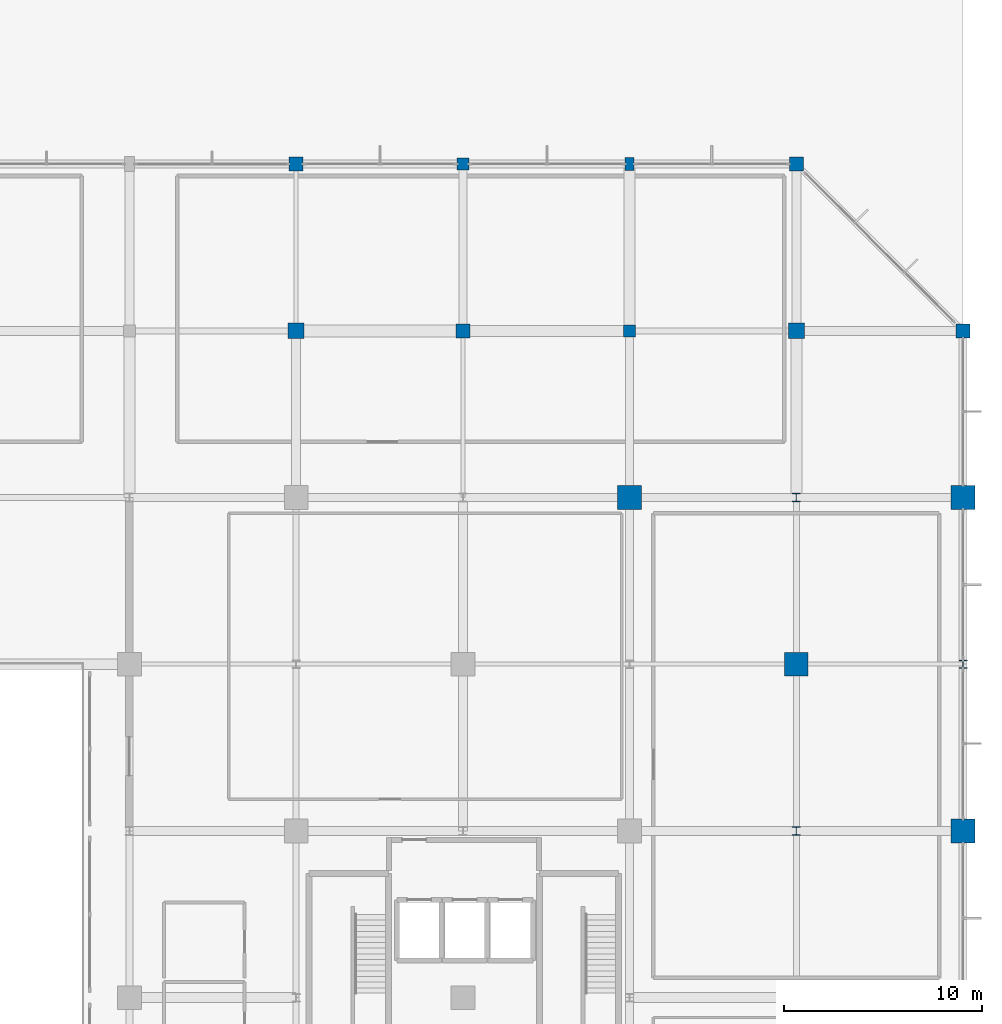
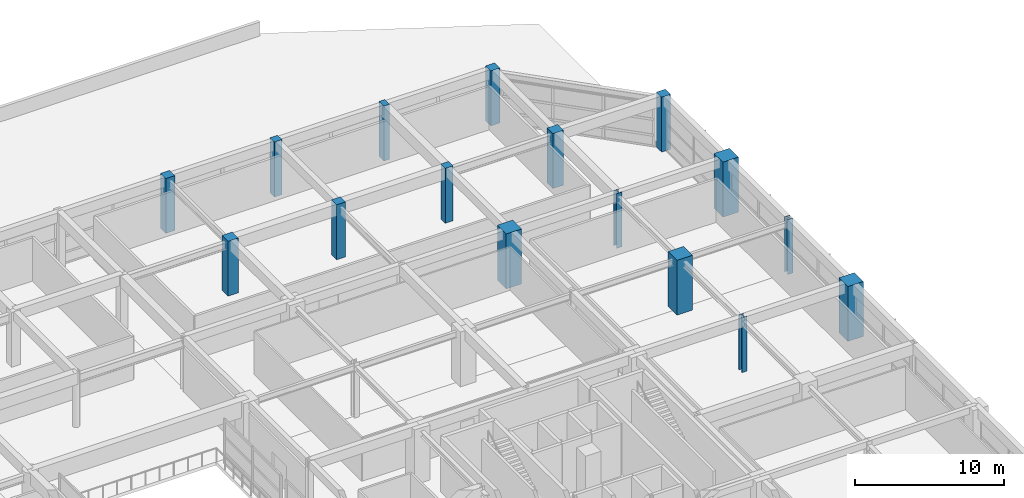
# One storey, part 7 of 60: 16 columns.
"""IFC4 building model written with IfcOpenShell, lengths in metres."""

from ifc_helpers import new_model, si_unit, direction, frame, origin, origin_2d, place, context, subcontext, project, spatial, rectangle, i_section, extrude, material, material_profile, profile_set, type_object, element, save


model = new_model("IFC4")

# Units and contexts
model_context = context("Model", 3, precision=1e-05, world=origin(), true_north=direction((0.0, 1.0)))
body_context = subcontext(model_context, "Body", "Model", "MODEL_VIEW")
ifc_project = project(units=[si_unit("LENGTHUNIT", "METRE"), si_unit("AREAUNIT", "SQUARE_METRE"), si_unit("VOLUMEUNIT", "CUBIC_METRE"), si_unit("PLANEANGLEUNIT", "RADIAN"), si_unit("MASSUNIT", "GRAM", prefix="KILO")], contexts=[model_context])

# Site, building, storey
site_placement = place(None, origin())
site = spatial("IfcSite", under=ifc_project, at=site_placement, CompositionType="ELEMENT")
building_placement = place(site_placement, origin())
building = spatial("IfcBuilding", under=site, at=building_placement, Name="Xuanlan Plaza Opera House", CompositionType="ELEMENT")
storey_placement = place(building_placement, frame((0.0, 0.0, 9.89990234375)))
storey = spatial("IfcBuildingStorey", under=building, at=storey_placement, Name="L02", CompositionType="ELEMENT", Elevation=9.89990234375)

# Columns
ifc_material_1 = material(Name="Concrete C60", Category="concrete")
ifc_material_profile_1 = material_profile(ifc_material_1, rectangle(XDim=1.199951171875, YDim=1.199951171875, at=origin_2d()), Name="RC-COL 1200x1200")
ifc_profile_set_1 = profile_set([ifc_material_profile_1], Name="Concrete C60")
column_type_1 = type_object("IfcColumnType", Name="STR-COL-C-02", PredefinedType="COLUMN", material=ifc_profile_set_1)
for number, where, z_axis, x_axis, name in (
    (1, (151.199951171875, 84.0, 0.0), (0.0, 0.0, 1.0), (1.0, 0.0, 0.0), "Column L02 19-K"),
    (2, (159.60009765625, 75.60009765625, 0.0), (0.0, 0.0, 1.0), (1.0, 0.0, 0.0), "Column L02 20-J"),
    (3, (168.0, 67.199951171875, 0.0), (0.0, 0.0, 1.0), (1.0, 0.0, 0.0), "Column L02 21-I"),
    (4, (168.0, 84.0, 0.0), (0.0, 0.0, 1.0), (1.0, 0.0, 0.0), "Column L02 21-K"),
):
    element("IfcColumn", number, at=place(storey_placement, frame(where, z_axis=z_axis, x_axis=x_axis)), inside=storey, type_object=column_type_1, Name=name, PredefinedType="COLUMN", context=body_context, shape_type="SweptSolid", body=[
        extrude(rectangle(XDim=1.199951171875, YDim=1.199951171875, at=origin_2d()), origin(), (0.0, 0.0, 1.0), 4.5),
    ])
ifc_material_2 = material(Name="Concrete C40", Category="concrete")
ifc_material_profile_2 = material_profile(ifc_material_2, rectangle(XDim=0.800048828125, YDim=0.800048828125, at=origin_2d()), Name="RC-COL 800x800")
ifc_profile_set_2 = profile_set([ifc_material_profile_2], Name="Concrete C40")
column_type_2 = type_object("IfcColumnType", Name="STR-COL-C-06", PredefinedType="COLUMN", material=ifc_profile_set_2)
for number, where, z_axis, x_axis, name in (
    (5, (134.39990234375, 92.39990234375, 0.0), (0.0, 0.0, 1.0), (1.0, 0.0, 0.0), "Column L02 17-L"),
    (6, (159.60009765625, 92.39990234375, 0.0), (0.0, 0.0, 1.0), (1.0, 0.0, 0.0), "Column L02 20-L"),
):
    element("IfcColumn", number, at=place(storey_placement, frame(where, z_axis=z_axis, x_axis=x_axis)), inside=storey, type_object=column_type_2, Name=name, PredefinedType="COLUMN", context=body_context, shape_type="SweptSolid", body=[
        extrude(rectangle(XDim=0.800048828125, YDim=0.800048828125, at=origin_2d()), origin(), (0.0, 0.0, 1.0), 4.5),
    ])
ifc_material_profile_3 = material_profile(ifc_material_2, rectangle(XDim=0.699951171875, YDim=0.699951171875, at=origin_2d()), Name="RC-COL 700x700")
ifc_profile_set_3 = profile_set([ifc_material_profile_3], Name="Concrete C40")
column_type_3 = type_object("IfcColumnType", Name="STR-COL-C-07", PredefinedType="COLUMN", material=ifc_profile_set_3)
for number, where, z_axis, x_axis, name in (
    (7, (134.39990234375, 100.800048828125, 0.0), (0.0, 0.0, 1.0), (1.0, 0.0, 0.0), "Column L02 17-M"),
    (8, (142.800048828125, 92.39990234375, 0.0), (0.0, 0.0, 1.0), (1.0, 0.0, 0.0), "Column L02 18-L"),
    (9, (159.60009765625, 100.800048828125, 0.0), (0.0, 0.0, 1.0), (1.0, 0.0, 0.0), "Column L02 20-M"),
    (10, (168.0, 92.39990234375, 0.0), (0.0, 0.0, 1.0), (1.0, 0.0, 0.0), "Column L02 21-L"),
):
    element("IfcColumn", number, at=place(storey_placement, frame(where, z_axis=z_axis, x_axis=x_axis)), inside=storey, type_object=column_type_3, Name=name, PredefinedType="COLUMN", context=body_context, shape_type="SweptSolid", body=[
        extrude(rectangle(XDim=0.699951171875, YDim=0.699951171875, at=origin_2d()), origin(), (0.0, 0.0, 1.0), 4.5),
    ])
ifc_material_profile_4 = material_profile(ifc_material_2, rectangle(XDim=0.60009765625, YDim=0.60009765625, at=origin_2d()), Name="RC-COL 600x600")
ifc_profile_set_4 = profile_set([ifc_material_profile_4], Name="Concrete C40")
column_type_4 = type_object("IfcColumnType", Name="STR-COL-C-08", PredefinedType="COLUMN", material=ifc_profile_set_4)
for number, where, z_axis, x_axis, name in (
    (11, (142.800048828125, 100.800048828125, 0.0), (0.0, 0.0, 1.0), (1.0, 0.0, 0.0), "Column L02 18-M"),
    (12, (151.199951171875, 92.39990234375, 0.0), (0.0, 0.0, 1.0), (1.0, 0.0, 0.0), "Column L02 19-L"),
):
    element("IfcColumn", number, at=place(storey_placement, frame(where, z_axis=z_axis, x_axis=x_axis)), inside=storey, type_object=column_type_4, Name=name, PredefinedType="COLUMN", context=body_context, shape_type="SweptSolid", body=[
        extrude(rectangle(XDim=0.60009765625, YDim=0.60009765625, at=origin_2d()), origin(), (0.0, 0.0, 1.0), 4.5),
    ])
ifc_material_3 = material(Name="Steel Q390B", Category="steel")
ifc_material_profile_5 = material_profile(ifc_material_3, i_section(OverallWidth=0.405029296875, OverallDepth=0.4140625, WebThickness=0.01806640625, FlangeThickness=0.028076171875, FilletRadius=0.02197265625, at=origin_2d()), Name="HW 414x405x18x28")
ifc_profile_set_5 = profile_set([ifc_material_profile_5], Name="Steel Q390B")
column_type_5 = type_object("IfcColumnType", Name="STR-COL-C-13", PredefinedType="COLUMN", material=ifc_profile_set_5)
for number, where, z_axis, x_axis, name in (
    (13, (159.60009765625, 67.199951171875, 0.0), (0.0, 0.0, 1.0), (1.0, 0.0, 0.0), "Column L02 20-I"),
    (14, (159.60009765625, 84.0, 0.0), (0.0, 0.0, 1.0), (1.0, 0.0, 0.0), "Column L02 20-K"),
    (15, (168.0, 75.60009765625, 0.0), (0.0, 0.0, 1.0), (1.0, 0.0, 0.0), "Column L02 21-J"),
):
    element("IfcColumn", number, at=place(storey_placement, frame(where, z_axis=z_axis, x_axis=x_axis)), inside=storey, type_object=column_type_5, Name=name, PredefinedType="COLUMN", context=body_context, shape_type="SweptSolid", body=[
        extrude(i_section(OverallWidth=0.405029296875, OverallDepth=0.4140625, WebThickness=0.01806640625, FlangeThickness=0.028076171875, FilletRadius=0.02197265625, at=origin_2d()), origin(), (0.0, 0.0, 1.0), 4.5),
    ])
ifc_material_profile_6 = material_profile(ifc_material_2, rectangle(XDim=0.449951171875, YDim=0.64990234375, at=origin_2d()), Name="RC-PIL 450x650")
ifc_profile_set_6 = profile_set([ifc_material_profile_6], Name="Concrete C40")
column_type_6 = type_object("IfcColumnType", Name="STR-COL-PL-01", PredefinedType="PILASTER", material=ifc_profile_set_6)
column_placement = place(storey_placement, frame((151.199951171875, 100.800048828125, 0.0), z_axis=(0.0, 0.0, 1.0), x_axis=(1.0, 0.0, 0.0)))
element("IfcColumn", 16, at=column_placement, inside=storey, type_object=column_type_6, Name="Column L02 19-M", PredefinedType="PILASTER", context=body_context, shape_type="SweptSolid", body=[
    extrude(rectangle(XDim=0.449951171875, YDim=0.64990234375, at=origin_2d()), origin(), (0.0, 0.0, 1.0), 4.5),
])

save(model, "model.ifc")
